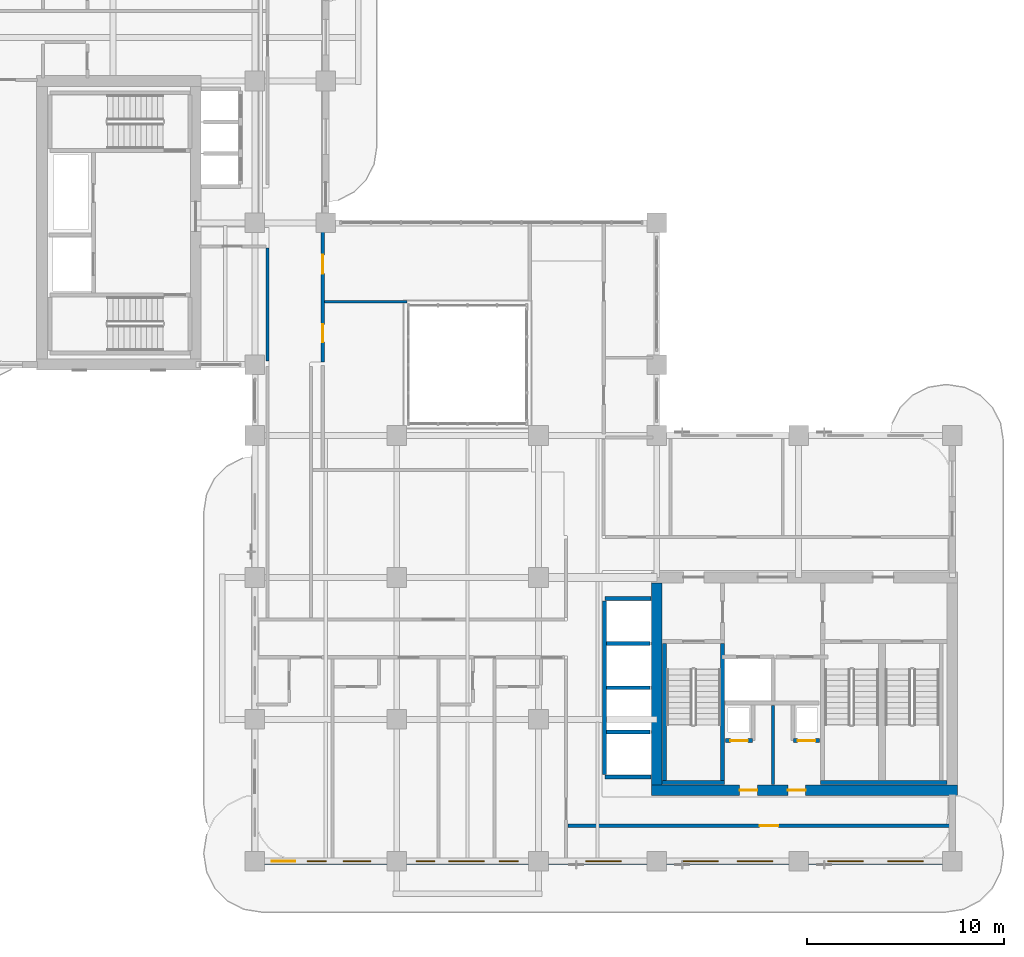
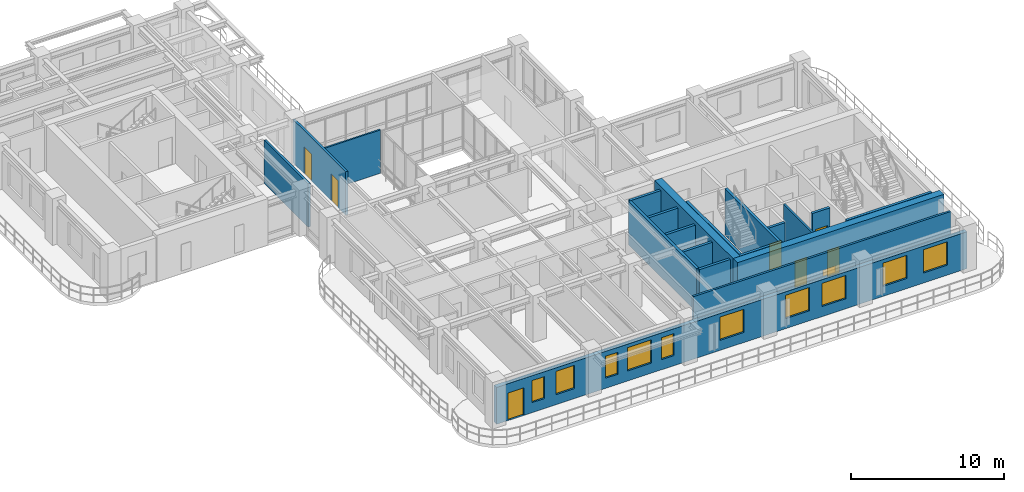
# One storey, part 12 of 20: 20 walls, 10 windows, 8 doors, 18 openings.
"""IFC4 building model written with IfcOpenShell, lengths in metres."""

from ifc_helpers import new_model, si_unit, derived_unit, direction, frame, frame_2d, origin, place, context, subcontext, project, spatial, rectangle, extrude, source, transform, mapped, material, layer, layer_set, type_object, type_shapes, element, fill, save


model = new_model("IFC4")

# Units and contexts
model_context = context("Model", 3, precision=1e-05, world=origin(), true_north=direction((0.0, 1.0)))
body_context = subcontext(model_context, "Body", "Model", "MODEL_VIEW")
ifc_project = project(units=[si_unit("LENGTHUNIT", "METRE"), si_unit("AREAUNIT", "SQUARE_METRE"), si_unit("VOLUMEUNIT", "CUBIC_METRE"), si_unit("PLANEANGLEUNIT", "RADIAN"), si_unit("MASSUNIT", "GRAM", prefix="KILO"), si_unit("THERMODYNAMICTEMPERATUREUNIT", "KELVIN"), si_unit("POWERUNIT", "WATT"), derived_unit("THERMALTRANSMITTANCEUNIT", [(si_unit("POWERUNIT", "WATT"), 1), (si_unit("AREAUNIT", "SQUARE_METRE"), -1), (si_unit("THERMODYNAMICTEMPERATUREUNIT", "KELVIN"), -1)])], contexts=[model_context])

# Site, building, storey
site_placement = place(None, origin())
site = spatial("IfcSite", under=ifc_project, at=site_placement, CompositionType="ELEMENT")
building_placement = place(site_placement, origin())
building = spatial("IfcBuilding", under=site, at=building_placement, Name="Zahravan Archway Hotel and Residences", CompositionType="ELEMENT")
storey_placement = place(building_placement, frame((0.0, 0.0, 122.89990234375)))
storey = spatial("IfcBuildingStorey", under=building, at=storey_placement, Name="L30", CompositionType="ELEMENT", Elevation=122.89990234375)

# Wall, openings, doors
ifc_material_1 = material(Name="Concrete C70/85", Category="concrete")
ifc_layer_1 = layer(ifc_material_1, 0.550048828125, Name="Concrete C70/85", Category="concrete")
ifc_layer_set_1 = layer_set([ifc_layer_1], Name="Concrete C70/85")
wall_type_1 = type_object("IfcWallType", Name="CW-CORE-550", PredefinedType="SHEAR", material=ifc_layer_set_1)
wall_1_placement = place(storey_placement, frame((34.52490234375, 3.60009765625, 0.0), z_axis=(0.0, 0.0, 1.0), x_axis=(1.0, 0.0, 0.0)))
wall_1 = element("IfcWall", 1, at=wall_1_placement, inside=storey, type_object=wall_type_1, Name="L30 Core A Shear S Wall 550 mm", PredefinedType="SHEAR", context=body_context, shape_type="SweptSolid", body=[
    extrude(rectangle(XDim=15.550048828125, YDim=0.550048828125, at=frame_2d((7.77490234375, 0.0))), origin(), (0.0, 0.0, 1.0), 3.7001953125),
])
opening_1_placement = place(wall_1_placement, frame((4.47509765625, 0.0, 0.0)))
opening_1 = element("IfcOpeningElement", 2, at=opening_1_placement, cuts=wall_1, Name="Opening FD-R1", PredefinedType="OPENING", context=body_context, shape_type="SweptSolid", body=[
    extrude(rectangle(XDim=0.89990234375, YDim=2.10009765625, at=frame_2d((0.449951171875, 1.050048828125))), frame((0.0, 0.28515625, 0.0), z_axis=(0.0, -1.0, 0.0), x_axis=(1.0, 0.0, 0.0)), (0.0, 0.0, 1.0), 0.570068359375),
])
opening_2_placement = place(wall_1_placement, frame((6.925048828125, 0.0, 0.0)))
opening_2 = element("IfcOpeningElement", 3, at=opening_2_placement, cuts=wall_1, Name="Opening FD-R1", PredefinedType="OPENING", context=body_context, shape_type="SweptSolid", body=[
    extrude(rectangle(XDim=0.89990234375, YDim=2.10009765625, at=frame_2d((0.449951171875, 1.050048828125))), frame((0.0, 0.28515625, 0.0), z_axis=(0.0, -1.0, 0.0), x_axis=(1.0, 0.0, 0.0)), (0.0, 0.0, 1.0), 0.570068359375),
])
ifc_material_2 = material(Name="Fire-Rated Painted Steel", Category="steel")
door_type_1 = type_object("IfcDoorType", Name="FD-RISER-900", OperationType="NOTDEFINED", PredefinedType="DOOR", material=ifc_material_2)
shared_shape_1 = source(origin(), body_context, "Body", "SweptSolid", [
    extrude(rectangle(XDim=0.89990234375, YDim=2.10009765625, at=frame_2d((0.449951171875, 1.050048828125))), frame((0.0, 0.02490234375, 0.0), z_axis=(0.0, -1.0, 0.0), x_axis=(1.0, 0.0, 0.0)), (0.0, 0.0, 1.0), 0.050048828125),
])
type_shapes(door_type_1, [shared_shape_1])
door_1_placement = place(opening_1_placement, origin())
door_1 = element("IfcDoor", 4, at=door_1_placement, inside=storey, type_object=door_type_1, Name="L30 Electrical Switchgear Door", OperationType="SINGLE_SWING_RIGHT", OverallHeight=2.10009765625, OverallWidth=0.89990234375, PredefinedType="DOOR", context=body_context, shape_type="MappedRepresentation", body=[
    mapped(shared_shape_1, transform((0.0, 0.0, 0.0), scale=1.0)),
])
fill(opening_1, door_1)
door_2_placement = place(opening_2_placement, origin())
door_2 = element("IfcDoor", 5, at=door_2_placement, inside=storey, type_object=door_type_1, Name="L30 Telecom BMS Door", OperationType="SINGLE_SWING_LEFT", OverallHeight=2.10009765625, OverallWidth=0.89990234375, PredefinedType="DOOR", context=body_context, shape_type="MappedRepresentation", body=[
    mapped(shared_shape_1, transform((0.0, 0.0, 0.0), scale=1.0)),
])
fill(opening_2, door_2)

# Wall
wall_2_placement = place(storey_placement, frame((34.800048828125, 3.875, 0.0), z_axis=(0.0, 0.0, 1.0), x_axis=(0.0, 1.0, 0.0)))
element("IfcWall", 6, at=wall_2_placement, inside=storey, type_object=wall_type_1, Name="L30 Core A Shear W Wall 550 mm", PredefinedType="SHEAR", context=body_context, shape_type="SweptSolid", body=[
    extrude(rectangle(XDim=10.25, YDim=0.550048828125, at=frame_2d((5.125, 0.0))), origin(), (0.0, 0.0, 1.0), 3.7001953125),
])

# Wall, openings, door, windows
ifc_material_3 = material(Name="Agra Buff Sandstone & Insulated Backup", Category="masonry")
ifc_layer_2 = layer(ifc_material_3, 0.320068359375, Name="Agra Buff Sandstone & Insulated Backup", Category="masonry")
ifc_layer_set_2 = layer_set([ifc_layer_2], Name="Agra Buff Sandstone & Insulated Backup")
wall_type_2 = type_object("IfcWallType", Name="EW-SAND-320", PredefinedType="SOLIDWALL", material=ifc_layer_set_2)
wall_3_placement = place(storey_placement, frame((14.39990234375, 0.0, 0.0), z_axis=(0.0, 0.0, 1.0), x_axis=(1.0, 0.0, 0.0)))
wall_3 = element("IfcWall", 7, at=wall_3_placement, inside=storey, type_object=wall_type_2, Name="L30 Exterior Sandstone Wall WA-S", PredefinedType="SOLIDWALL", context=body_context, shape_type="SweptSolid", body=[
    extrude(rectangle(XDim=35.400146484375, YDim=0.320068359375, at=frame_2d((17.7001953125, 0.0))), origin(), (0.0, 0.0, 1.0), 2.93505859375),
])
opening_3_placement = place(wall_3_placement, frame((0.85009765625, 0.0, 0.0)))
opening_3 = element("IfcOpeningElement", 8, at=opening_3_placement, cuts=wall_3, Name="Opening ED-BL1", PredefinedType="OPENING", context=body_context, shape_type="SweptSolid", body=[
    extrude(rectangle(XDim=1.199951171875, YDim=2.199951171875, at=frame_2d((0.60009765625, 1.10009765625))), frame((0.0, 0.169921875, 0.0), z_axis=(0.0, -1.0, 0.0), x_axis=(1.0, 0.0, 0.0)), (0.0, 0.0, 1.0), 0.340087890625),
])
opening_4_placement = place(wall_3_placement, frame((2.6708984375, 0.0, 0.800048828125)))
opening_4 = element("IfcOpeningElement", 9, at=opening_4_placement, cuts=wall_3, Name="Opening W-04", PredefinedType="OPENING", context=body_context, shape_type="SweptSolid", body=[
    extrude(rectangle(XDim=0.949951171875, YDim=1.75, at=frame_2d((0.47509765625, 0.875))), frame((0.0, 0.169921875, 0.0), z_axis=(0.0, -1.0, 0.0), x_axis=(1.0, 0.0, 0.0)), (0.0, 0.0, 1.0), 0.340087890625),
])
opening_5_placement = place(wall_3_placement, frame((4.47900390625, 0.0, 0.800048828125)))
opening_5 = element("IfcOpeningElement", 10, at=opening_5_placement, cuts=wall_3, Name="Opening W-03", PredefinedType="OPENING", context=body_context, shape_type="SweptSolid", body=[
    extrude(rectangle(XDim=1.39990234375, YDim=1.85009765625, at=frame_2d((0.699951171875, 0.925048828125))), frame((0.0, 0.169921875, 0.0), z_axis=(0.0, -1.0, 0.0), x_axis=(1.0, 0.0, 0.0)), (0.0, 0.0, 1.0), 0.340087890625),
])
opening_6_placement = place(wall_3_placement, frame((8.180908203125, 0.0, 0.800048828125)))
opening_6 = element("IfcOpeningElement", 11, at=opening_6_placement, cuts=wall_3, Name="Opening W-04", PredefinedType="OPENING", context=body_context, shape_type="SweptSolid", body=[
    extrude(rectangle(XDim=0.949951171875, YDim=1.75, at=frame_2d((0.47509765625, 0.875))), frame((0.0, 0.169921875, 0.0), z_axis=(0.0, -1.0, 0.0), x_axis=(1.0, 0.0, 0.0)), (0.0, 0.0, 1.0), 0.340087890625),
])
opening_7_placement = place(wall_3_placement, frame((9.844970703125, 0.0, 0.800048828125)))
opening_7 = element("IfcOpeningElement", 12, at=opening_7_placement, cuts=wall_3, Name="Opening W-02", PredefinedType="OPENING", context=body_context, shape_type="SweptSolid", body=[
    extrude(rectangle(XDim=1.800048828125, YDim=1.85009765625, at=frame_2d((0.89990234375, 0.925048828125))), frame((0.0, 0.169921875, 0.0), z_axis=(0.0, -1.0, 0.0), x_axis=(1.0, 0.0, 0.0)), (0.0, 0.0, 1.0), 0.340087890625),
])
opening_8_placement = place(wall_3_placement, frame((12.4140625, 0.0, 0.800048828125)))
opening_8 = element("IfcOpeningElement", 13, at=opening_8_placement, cuts=wall_3, Name="Opening W-04", PredefinedType="OPENING", context=body_context, shape_type="SweptSolid", body=[
    extrude(rectangle(XDim=0.949951171875, YDim=1.75, at=frame_2d((0.47509765625, 0.875))), frame((0.0, 0.169921875, 0.0), z_axis=(0.0, -1.0, 0.0), x_axis=(1.0, 0.0, 0.0)), (0.0, 0.0, 1.0), 0.340087890625),
])
opening_9_placement = place(wall_3_placement, frame((16.803955078125, 0.0, 0.800048828125)))
opening_9 = element("IfcOpeningElement", 14, at=opening_9_placement, cuts=wall_3, Name="Opening W-02", PredefinedType="OPENING", context=body_context, shape_type="SweptSolid", body=[
    extrude(rectangle(XDim=1.800048828125, YDim=1.85009765625, at=frame_2d((0.89990234375, 0.925048828125))), frame((0.0, 0.169921875, 0.0), z_axis=(0.0, -1.0, 0.0), x_axis=(1.0, 0.0, 0.0)), (0.0, 0.0, 1.0), 0.340087890625),
])
opening_10_placement = place(wall_3_placement, frame((21.72509765625, 0.0, 0.800048828125)))
opening_10 = element("IfcOpeningElement", 15, at=opening_10_placement, cuts=wall_3, Name="Opening W-02", PredefinedType="OPENING", context=body_context, shape_type="SweptSolid", body=[
    extrude(rectangle(XDim=1.800048828125, YDim=1.85009765625, at=frame_2d((0.89990234375, 0.925048828125))), frame((0.0, 0.169921875, 0.0), z_axis=(0.0, -1.0, 0.0), x_axis=(1.0, 0.0, 0.0)), (0.0, 0.0, 1.0), 0.340087890625),
])
opening_11_placement = place(wall_3_placement, frame((24.47509765625, 0.0, 0.800048828125)))
opening_11 = element("IfcOpeningElement", 16, at=opening_11_placement, cuts=wall_3, Name="Opening W-02", PredefinedType="OPENING", context=body_context, shape_type="SweptSolid", body=[
    extrude(rectangle(XDim=1.800048828125, YDim=1.85009765625, at=frame_2d((0.89990234375, 0.925048828125))), frame((0.0, 0.169921875, 0.0), z_axis=(0.0, -1.0, 0.0), x_axis=(1.0, 0.0, 0.0)), (0.0, 0.0, 1.0), 0.340087890625),
])
opening_12_placement = place(wall_3_placement, frame((29.074951171875, 0.0, 0.800048828125)))
opening_12 = element("IfcOpeningElement", 17, at=opening_12_placement, cuts=wall_3, Name="Opening W-02", PredefinedType="OPENING", context=body_context, shape_type="SweptSolid", body=[
    extrude(rectangle(XDim=1.800048828125, YDim=1.85009765625, at=frame_2d((0.89990234375, 0.925048828125))), frame((0.0, 0.169921875, 0.0), z_axis=(0.0, -1.0, 0.0), x_axis=(1.0, 0.0, 0.0)), (0.0, 0.0, 1.0), 0.340087890625),
])
opening_13_placement = place(wall_3_placement, frame((32.125, 0.0, 0.800048828125)))
opening_13 = element("IfcOpeningElement", 18, at=opening_13_placement, cuts=wall_3, Name="Opening W-02", PredefinedType="OPENING", context=body_context, shape_type="SweptSolid", body=[
    extrude(rectangle(XDim=1.800048828125, YDim=1.85009765625, at=frame_2d((0.89990234375, 0.925048828125))), frame((0.0, 0.169921875, 0.0), z_axis=(0.0, -1.0, 0.0), x_axis=(1.0, 0.0, 0.0)), (0.0, 0.0, 1.0), 0.340087890625),
])
ifc_material_4 = material(Name="Bronze-Anodized Glazed Aluminium", Category="aluminium")
door_type_2 = type_object("IfcDoorType", Name="ED-BALC-1200", OperationType="SLIDING_TO_LEFT", PredefinedType="DOOR", material=ifc_material_4)
shared_shape_2 = source(origin(), body_context, "Body", "SweptSolid", [
    extrude(rectangle(XDim=1.199951171875, YDim=2.199951171875, at=frame_2d((0.60009765625, 1.10009765625))), frame((0.0, 0.02490234375, 0.0), z_axis=(0.0, -1.0, 0.0), x_axis=(1.0, 0.0, 0.0)), (0.0, 0.0, 1.0), 0.050048828125),
])
type_shapes(door_type_2, [shared_shape_2])
door_3_placement = place(opening_3_placement, origin())
door_3 = element("IfcDoor", 19, at=door_3_placement, inside=storey, type_object=door_type_2, Name="L30 Outdoor Access Sliding Door (SLB-BAL-L30-SA)", OperationType="SLIDING_TO_LEFT", OverallHeight=2.199951171875, OverallWidth=1.199951171875, PredefinedType="DOOR", context=body_context, shape_type="MappedRepresentation", body=[
    mapped(shared_shape_2, transform((0.0, 0.0, 0.0), scale=1.0)),
])
fill(opening_3, door_3)
ifc_material_5 = material(Name="Bronze-Anodized Thermal-Break Aluminium & Low-E Glass", Category="aluminium")
window_type_1 = type_object("IfcWindowType", Name="WIN-TWR-1400", PartitioningType="SINGLE_PANEL", PredefinedType="WINDOW", material=ifc_material_5)
shared_shape_3 = source(origin(), body_context, "Body", "SweptSolid", [
    extrude(rectangle(XDim=1.39990234375, YDim=1.85009765625, at=frame_2d((0.699951171875, 0.925048828125))), frame((0.0, 0.030029296875, 0.0), z_axis=(0.0, -1.0, 0.0), x_axis=(1.0, 0.0, 0.0)), (0.0, 0.0, 1.0), 0.06005859375),
])
type_shapes(window_type_1, [shared_shape_3])
window_1_placement = place(opening_5_placement, origin())
window_1 = element("IfcWindow", 20, at=window_1_placement, inside=storey, type_object=window_type_1, Name="L30 Loggia Window 02", OverallHeight=1.85009765625, OverallWidth=1.39990234375, PartitioningType="SINGLE_PANEL", PredefinedType="WINDOW", context=body_context, shape_type="MappedRepresentation", body=[
    mapped(shared_shape_3, transform((0.0, 0.0, 0.0), scale=1.0)),
])
fill(opening_5, window_1)
window_type_2 = type_object("IfcWindowType", Name="WIN-NAR-950", PartitioningType="SINGLE_PANEL", PredefinedType="WINDOW", material=ifc_material_5)
shared_shape_4 = source(origin(), body_context, "Body", "SweptSolid", [
    extrude(rectangle(XDim=0.949951171875, YDim=1.75, at=frame_2d((0.47509765625, 0.875))), frame((0.0, 0.030029296875, 0.0), z_axis=(0.0, -1.0, 0.0), x_axis=(1.0, 0.0, 0.0)), (0.0, 0.0, 1.0), 0.06005859375),
])
type_shapes(window_type_2, [shared_shape_4])
window_2_placement = place(opening_4_placement, origin())
window_2 = element("IfcWindow", 21, at=window_2_placement, inside=storey, type_object=window_type_2, Name="L30 Loggia Window 01", OverallHeight=1.75, OverallWidth=0.949951171875, PartitioningType="SINGLE_PANEL", PredefinedType="WINDOW", context=body_context, shape_type="MappedRepresentation", body=[
    mapped(shared_shape_4, transform((0.0, 0.0, 0.0), scale=1.0)),
])
fill(opening_4, window_2)
window_3_placement = place(opening_6_placement, origin())
window_3 = element("IfcWindow", 22, at=window_3_placement, inside=storey, type_object=window_type_2, Name="L30 Loggia Window 03", OverallHeight=1.75, OverallWidth=0.949951171875, PartitioningType="SINGLE_PANEL", PredefinedType="WINDOW", context=body_context, shape_type="MappedRepresentation", body=[
    mapped(shared_shape_4, transform((0.0, 0.0, 0.0), scale=1.0)),
])
fill(opening_6, window_3)
window_4_placement = place(opening_8_placement, origin())
window_4 = element("IfcWindow", 23, at=window_4_placement, inside=storey, type_object=window_type_2, Name="L30 Loggia Window 05", OverallHeight=1.75, OverallWidth=0.949951171875, PartitioningType="SINGLE_PANEL", PredefinedType="WINDOW", context=body_context, shape_type="MappedRepresentation", body=[
    mapped(shared_shape_4, transform((0.0, 0.0, 0.0), scale=1.0)),
])
fill(opening_8, window_4)
window_type_3 = type_object("IfcWindowType", Name="WIN-TWR-1800", PartitioningType="DOUBLE_PANEL_VERTICAL", PredefinedType="WINDOW", material=ifc_material_5)
shared_shape_5 = source(origin(), body_context, "Body", "SweptSolid", [
    extrude(rectangle(XDim=1.800048828125, YDim=1.85009765625, at=frame_2d((0.89990234375, 0.925048828125))), frame((0.0, 0.030029296875, 0.0), z_axis=(0.0, -1.0, 0.0), x_axis=(1.0, 0.0, 0.0)), (0.0, 0.0, 1.0), 0.06005859375),
])
type_shapes(window_type_3, [shared_shape_5])
window_5_placement = place(opening_7_placement, origin())
window_5 = element("IfcWindow", 24, at=window_5_placement, inside=storey, type_object=window_type_3, Name="L30 Loggia Window 04", OverallHeight=1.85009765625, OverallWidth=1.800048828125, PartitioningType="DOUBLE_PANEL_VERTICAL", PredefinedType="WINDOW", context=body_context, shape_type="MappedRepresentation", body=[
    mapped(shared_shape_5, transform((0.0, 0.0, 0.0), scale=1.0)),
])
fill(opening_7, window_5)
window_6_placement = place(opening_9_placement, origin())
window_6 = element("IfcWindow", 25, at=window_6_placement, inside=storey, type_object=window_type_3, Name="L30 Loggia Window 06", OverallHeight=1.85009765625, OverallWidth=1.800048828125, PartitioningType="DOUBLE_PANEL_VERTICAL", PredefinedType="WINDOW", context=body_context, shape_type="MappedRepresentation", body=[
    mapped(shared_shape_5, transform((0.0, 0.0, 0.0), scale=1.0)),
])
fill(opening_9, window_6)
window_7_placement = place(opening_10_placement, origin())
window_7 = element("IfcWindow", 26, at=window_7_placement, inside=storey, type_object=window_type_3, Name="L30 Loggia Window 07", OverallHeight=1.85009765625, OverallWidth=1.800048828125, PartitioningType="DOUBLE_PANEL_VERTICAL", PredefinedType="WINDOW", context=body_context, shape_type="MappedRepresentation", body=[
    mapped(shared_shape_5, transform((0.0, 0.0, 0.0), scale=1.0)),
])
fill(opening_10, window_7)
window_8_placement = place(opening_11_placement, origin())
window_8 = element("IfcWindow", 27, at=window_8_placement, inside=storey, type_object=window_type_3, Name="L30 Loggia Window 08", OverallHeight=1.85009765625, OverallWidth=1.800048828125, PartitioningType="DOUBLE_PANEL_VERTICAL", PredefinedType="WINDOW", context=body_context, shape_type="MappedRepresentation", body=[
    mapped(shared_shape_5, transform((0.0, 0.0, 0.0), scale=1.0)),
])
fill(opening_11, window_8)
window_9_placement = place(opening_12_placement, origin())
window_9 = element("IfcWindow", 28, at=window_9_placement, inside=storey, type_object=window_type_3, Name="L30 Loggia Window 09", OverallHeight=1.85009765625, OverallWidth=1.800048828125, PartitioningType="DOUBLE_PANEL_VERTICAL", PredefinedType="WINDOW", context=body_context, shape_type="MappedRepresentation", body=[
    mapped(shared_shape_5, transform((0.0, 0.0, 0.0), scale=1.0)),
])
fill(opening_12, window_9)
window_10_placement = place(opening_13_placement, origin())
window_10 = element("IfcWindow", 29, at=window_10_placement, inside=storey, type_object=window_type_3, Name="L30 Loggia Window 10", OverallHeight=1.85009765625, OverallWidth=1.800048828125, PartitioningType="DOUBLE_PANEL_VERTICAL", PredefinedType="WINDOW", context=body_context, shape_type="MappedRepresentation", body=[
    mapped(shared_shape_5, transform((0.0, 0.0, 0.0), scale=1.0)),
])
fill(opening_13, window_10)

# Wall, opening, door
ifc_material_6 = material(Name="Fire-Rated Gypsum & Concrete Block", Category="concrete")
ifc_layer_3 = layer(ifc_material_6, 0.159912109375, Name="Fire-Rated Gypsum & Concrete Block", Category="concrete")
ifc_layer_set_3 = layer_set([ifc_layer_3], Name="Fire-Rated Gypsum & Concrete Block")
wall_type_3 = type_object("IfcWallType", Name="PW-CORR-160", PredefinedType="PARTITIONING", material=ifc_layer_set_3)
wall_4_placement = place(storey_placement, frame((30.2900390625, 1.800048828125, 0.0), z_axis=(0.0, 0.0, 1.0), x_axis=(1.0, 0.0, 0.0)))
wall_4 = element("IfcWall", 30, at=wall_4_placement, inside=storey, type_object=wall_type_3, Name="L30 Partition WA-SRS", PredefinedType="PARTITIONING", context=body_context, shape_type="SweptSolid", body=[
    extrude(rectangle(XDim=19.369873046875, YDim=0.159912109375, at=frame_2d((9.68505859375, 0.0))), origin(), (0.0, 0.0, 1.0), 3.4501953125),
])
opening_14_placement = place(wall_4_placement, frame((9.735107421875, 0.0, 0.0)))
opening_14 = element("IfcOpeningElement", 31, at=opening_14_placement, cuts=wall_4, Name="Opening D-I1", PredefinedType="OPENING", context=body_context, shape_type="SweptSolid", body=[
    extrude(rectangle(XDim=0.949951171875, YDim=2.14990234375, at=frame_2d((0.47509765625, 1.074951171875))), frame((0.0, 0.08984375, 0.0), z_axis=(0.0, -1.0, 0.0), x_axis=(1.0, 0.0, 0.0)), (0.0, 0.0, 1.0), 0.179931640625),
])
ifc_material_7 = material(Name="Hardwood Veneer Timber", Category="wood")
door_type_3 = type_object("IfcDoorType", Name="ID-INT-950", OperationType="NOTDEFINED", PredefinedType="DOOR", material=ifc_material_7)
shared_shape_6 = source(origin(), body_context, "Body", "SweptSolid", [
    extrude(rectangle(XDim=0.949951171875, YDim=2.14990234375, at=frame_2d((0.47509765625, 1.074951171875))), frame((0.0, 0.02490234375, 0.0), z_axis=(0.0, -1.0, 0.0), x_axis=(1.0, 0.0, 0.0)), (0.0, 0.0, 1.0), 0.050048828125),
])
type_shapes(door_type_3, [shared_shape_6])
door_4_placement = place(opening_14_placement, origin())
door_4 = element("IfcDoor", 32, at=door_4_placement, inside=storey, type_object=door_type_3, Name="L30 South Viewing Lounge Door", OperationType="SINGLE_SWING_RIGHT", OverallHeight=2.14990234375, OverallWidth=0.949951171875, PredefinedType="DOOR", context=body_context, shape_type="MappedRepresentation", body=[
    mapped(shared_shape_6, transform((0.0, 0.0, 0.0), scale=1.0)),
])
fill(opening_14, door_4)

# Walls
wall_5_placement = place(storey_placement, frame((15.050048828125, 25.389892578125, 0.0), z_axis=(0.0, 0.0, 1.0), x_axis=(0.0, 1.0, 0.0)))
element("IfcWall", 33, at=wall_5_placement, inside=storey, type_object=wall_type_3, Name="L30 Partition FB1-E", PredefinedType="PARTITIONING", context=body_context, shape_type="SweptSolid", body=[
    extrude(rectangle(XDim=5.72021484375, YDim=0.159912109375, at=frame_2d((2.860107421875, 0.0))), origin(), (0.0, 0.0, 1.0), 3.4501953125),
])
ifc_material_8 = material(Name="Acoustic Stud Partition")
ifc_layer_4 = layer(ifc_material_8, 0.125, Name="Acoustic Stud Partition")
ifc_layer_set_4 = layer_set([ifc_layer_4], Name="Acoustic Stud Partition")
wall_type_4 = type_object("IfcWallType", Name="PW-INT-125", PredefinedType="PARTITIONING", material=ifc_layer_set_4)
wall_6_placement = place(storey_placement, frame((17.93994140625, 28.39990234375, 0.0), z_axis=(0.0, 0.0, 1.0), x_axis=(1.0, 0.0, 0.0)))
element("IfcWall", 34, at=wall_6_placement, inside=storey, type_object=wall_type_4, Name="L30 Partition ATR-NW1", PredefinedType="PARTITIONING", context=body_context, shape_type="SweptSolid", body=[
    extrude(rectangle(XDim=4.170166015625, YDim=0.125, at=frame_2d((2.0849609375, 0.0))), origin(), (0.0, 0.0, 1.0), 3.4501953125),
])

# Wall, opening, door
ifc_layer_5 = layer(ifc_material_6, 0.199951171875, Name="Fire-Rated Gypsum & Concrete Block", Category="concrete")
ifc_layer_set_5 = layer_set([ifc_layer_5], Name="Fire-Rated Gypsum & Concrete Block")
wall_type_5 = type_object("IfcWallType", Name="PW-SHAFT-200", PredefinedType="PARTITIONING", material=ifc_layer_set_5)
wall_7_placement = place(storey_placement, frame((38.2900390625, 6.1201171875, 0.0), z_axis=(0.0, 0.0, 1.0), x_axis=(1.0, 0.0, 0.0)))
wall_7 = element("IfcWall", 35, at=wall_7_placement, inside=storey, type_object=wall_type_5, Name="L30 Partition CA-SMKS", PredefinedType="PARTITIONING", context=body_context, shape_type="SweptSolid", body=[
    extrude(rectangle(XDim=1.3798828125, YDim=0.199951171875, at=frame_2d((0.68994140625, 0.0))), origin(), (0.0, 0.0, 1.0), 3.4501953125),
])
opening_15_placement = place(wall_7_placement, frame((0.239990234375, 0.0, 0.0)))
opening_15 = element("IfcOpeningElement", 36, at=opening_15_placement, cuts=wall_7, Name="Opening FD-R1", PredefinedType="OPENING", context=body_context, shape_type="SweptSolid", body=[
    extrude(rectangle(XDim=0.89990234375, YDim=2.10009765625, at=frame_2d((0.449951171875, 1.050048828125))), frame((0.0, 0.10986328125, 0.0), z_axis=(0.0, -1.0, 0.0), x_axis=(1.0, 0.0, 0.0)), (0.0, 0.0, 1.0), 0.219970703125),
])
door_5_placement = place(opening_15_placement, origin())
door_5 = element("IfcDoor", 37, at=door_5_placement, inside=storey, type_object=door_type_1, Name="L30 Smoke Riser Access Door", OperationType="SINGLE_SWING_RIGHT", OverallHeight=2.10009765625, OverallWidth=0.89990234375, PredefinedType="DOOR", context=body_context, shape_type="MappedRepresentation", body=[
    mapped(shared_shape_1, transform((0.0, 0.0, 0.0), scale=1.0)),
])
fill(opening_15, door_5)

wall_8_placement = place(storey_placement, frame((41.72998046875, 6.1201171875, 0.0), z_axis=(0.0, 0.0, 1.0), x_axis=(1.0, 0.0, 0.0)))
wall_8 = element("IfcWall", 38, at=wall_8_placement, inside=storey, type_object=wall_type_5, Name="L30 Partition CA-MEPS", PredefinedType="PARTITIONING", context=body_context, shape_type="SweptSolid", body=[
    extrude(rectangle(XDim=1.320068359375, YDim=0.199951171875, at=frame_2d((0.66015625, 0.0))), origin(), (0.0, 0.0, 1.0), 3.4501953125),
])
opening_16_placement = place(wall_8_placement, frame((0.219970703125, 0.0, 0.0)))
opening_16 = element("IfcOpeningElement", 39, at=opening_16_placement, cuts=wall_8, Name="Opening FD-R1", PredefinedType="OPENING", context=body_context, shape_type="SweptSolid", body=[
    extrude(rectangle(XDim=0.89990234375, YDim=2.10009765625, at=frame_2d((0.449951171875, 1.050048828125))), frame((0.0, 0.10986328125, 0.0), z_axis=(0.0, -1.0, 0.0), x_axis=(1.0, 0.0, 0.0)), (0.0, 0.0, 1.0), 0.219970703125),
])
door_6_placement = place(opening_16_placement, origin())
door_6 = element("IfcDoor", 40, at=door_6_placement, inside=storey, type_object=door_type_1, Name="L30 MEP Riser Access Door", OperationType="SINGLE_SWING_LEFT", OverallHeight=2.10009765625, OverallWidth=0.89990234375, PredefinedType="DOOR", context=body_context, shape_type="MappedRepresentation", body=[
    mapped(shared_shape_1, transform((0.0, 0.0, 0.0), scale=1.0)),
])
fill(opening_16, door_6)

# Walls
for number, where, z_axis, x_axis, name in (
    (41, (32.159912109375, 4.280029296875, 0.0), (0.0, 0.0, 1.0), (1.0, 0.0, 0.0), "L30 Partition B3-S"),
    (42, (32.159912109375, 13.320068359375, 0.0), (0.0, 0.0, 1.0), (1.0, 0.0, 0.0), "L30 Partition B3-N"),
):
    element("IfcWall", number, at=place(storey_placement, frame(where, z_axis=z_axis, x_axis=x_axis)), inside=storey, type_object=wall_type_5, Name=name, PredefinedType="PARTITIONING", context=body_context, shape_type="SweptSolid", body=[
        extrude(rectangle(XDim=2.335205078125, YDim=0.199951171875, at=frame_2d((1.16748046875, 0.0))), origin(), (0.0, 0.0, 1.0), 3.4501953125),
    ])
wall_9_placement = place(storey_placement, frame((32.14990234375, 4.389892578125, 0.0), z_axis=(0.0, 0.0, 1.0), x_axis=(0.0, 1.0, 0.0)))
element("IfcWall", 43, at=wall_9_placement, inside=storey, type_object=wall_type_5, Name="L30 Partition B3-W", PredefinedType="PARTITIONING", context=body_context, shape_type="SweptSolid", body=[
    extrude(rectangle(XDim=8.820068359375, YDim=0.199951171875, at=frame_2d((4.41015625, 0.0))), origin(), (0.0, 0.0, 1.0), 3.4501953125),
])
for number, where, z_axis, x_axis, name in (
    (44, (32.260009765625, 6.56005859375, 0.0), (0.0, 0.0, 1.0), (1.0, 0.0, 0.0), "L30 Partition B3-D"),
    (45, (32.260009765625, 8.800048828125, 0.0), (0.0, 0.0, 1.0), (1.0, 0.0, 0.0), "L30 Partition B3-D"),
    (46, (32.260009765625, 11.0400390625, 0.0), (0.0, 0.0, 1.0), (1.0, 0.0, 0.0), "L30 Partition B3-D"),
):
    element("IfcWall", number, at=place(storey_placement, frame(where, z_axis=z_axis, x_axis=x_axis)), inside=storey, type_object=wall_type_5, Name=name, PredefinedType="PARTITIONING", context=body_context, shape_type="SweptSolid", body=[
        extrude(rectangle(XDim=2.205078125, YDim=0.199951171875, at=frame_2d((1.1025390625, 0.0))), origin(), (0.0, 0.0, 1.0), 3.4501953125),
    ])

# Wall, openings, doors
ifc_layer_6 = layer(ifc_material_8, 0.169921875, Name="Acoustic Stud Partition")
ifc_layer_set_6 = layer_set([ifc_layer_6], Name="Acoustic Stud Partition")
wall_type_6 = type_object("IfcWallType", Name="PW-UNIT-170", PredefinedType="PARTITIONING", material=ifc_layer_set_6)
wall_10_placement = place(storey_placement, frame((17.85009765625, 25.340087890625, 0.0), z_axis=(0.0, 0.0, 1.0), x_axis=(0.0, 1.0, 0.0)))
wall_10 = element("IfcWall", 47, at=wall_10_placement, inside=storey, type_object=wall_type_6, Name="L30 Partition ATR-W2", PredefinedType="PARTITIONING", context=body_context, shape_type="SweptSolid", body=[
    extrude(rectangle(XDim=6.869873046875, YDim=0.169921875, at=frame_2d((3.43505859375, 0.0))), origin(), (0.0, 0.0, 1.0), 3.4501953125),
])
opening_17_placement = place(wall_10_placement, frame((1.010009765625, 0.0, 0.0)))
opening_17 = element("IfcOpeningElement", 48, at=opening_17_placement, cuts=wall_10, Name="Opening D-I2", PredefinedType="OPENING", context=body_context, shape_type="SweptSolid", body=[
    extrude(rectangle(XDim=0.89990234375, YDim=2.14990234375, at=frame_2d((0.449951171875, 1.074951171875))), frame((0.0, 0.094970703125, 0.0), z_axis=(0.0, -1.0, 0.0), x_axis=(1.0, 0.0, 0.0)), (0.0, 0.0, 1.0), 0.18994140625),
])
opening_18_placement = place(wall_10_placement, frame((4.485107421875, 0.0, 0.0)))
opening_18 = element("IfcOpeningElement", 49, at=opening_18_placement, cuts=wall_10, Name="Opening D-I1", PredefinedType="OPENING", context=body_context, shape_type="SweptSolid", body=[
    extrude(rectangle(XDim=0.949951171875, YDim=2.14990234375, at=frame_2d((0.47509765625, 1.074951171875))), frame((0.0, 0.094970703125, 0.0), z_axis=(0.0, -1.0, 0.0), x_axis=(1.0, 0.0, 0.0)), (0.0, 0.0, 1.0), 0.18994140625),
])
door_7_placement = place(opening_18_placement, origin())
door_7 = element("IfcDoor", 50, at=door_7_placement, inside=storey, type_object=door_type_3, Name="L30 Atrium North Lounge Door", OperationType="SINGLE_SWING_LEFT", OverallHeight=2.14990234375, OverallWidth=0.949951171875, PredefinedType="DOOR", context=body_context, shape_type="MappedRepresentation", body=[
    mapped(shared_shape_6, transform((0.0, 0.0, 0.0), scale=1.0)),
])
fill(opening_18, door_7)
door_type_4 = type_object("IfcDoorType", Name="ID-INT-900", OperationType="NOTDEFINED", PredefinedType="DOOR", material=ifc_material_7)
shared_shape_7 = source(origin(), body_context, "Body", "SweptSolid", [
    extrude(rectangle(XDim=0.89990234375, YDim=2.14990234375, at=frame_2d((0.449951171875, 1.074951171875))), frame((0.0, 0.02490234375, 0.0), z_axis=(0.0, -1.0, 0.0), x_axis=(1.0, 0.0, 0.0)), (0.0, 0.0, 1.0), 0.050048828125),
])
type_shapes(door_type_4, [shared_shape_7])
door_8_placement = place(opening_17_placement, origin())
door_8 = element("IfcDoor", 51, at=door_8_placement, inside=storey, type_object=door_type_4, Name="L30 Atrium West Study Door", OperationType="SINGLE_SWING_LEFT", OverallHeight=2.14990234375, OverallWidth=0.89990234375, PredefinedType="DOOR", context=body_context, shape_type="MappedRepresentation", body=[
    mapped(shared_shape_7, transform((0.0, 0.0, 0.0), scale=1.0)),
])
fill(opening_17, door_8)

# Walls
ifc_material_9 = material(Name="Moisture-Resistant Blockwork", Category="masonry")
ifc_layer_7 = layer(ifc_material_9, 0.139892578125, Name="Moisture-Resistant Blockwork", Category="masonry")
ifc_layer_set_7 = layer_set([ifc_layer_7], Name="Moisture-Resistant Blockwork")
wall_type_7 = type_object("IfcWallType", Name="PW-WET-140", PredefinedType="PARTITIONING", material=ifc_layer_set_7)
wall_11_placement = place(storey_placement, frame((40.699951171875, 3.89501953125, 0.0), z_axis=(0.0, 0.0, 1.0), x_axis=(0.0, 1.0, 0.0)))
element("IfcWall", 52, at=wall_11_placement, inside=storey, type_object=wall_type_7, Name="L30 Partition CA-CV0", PredefinedType="PARTITIONING", context=body_context, shape_type="SweptSolid", body=[
    extrude(rectangle(XDim=4.014892578125, YDim=0.139892578125, at=frame_2d((2.00732421875, 0.0))), origin(), (0.0, 0.0, 1.0), 3.4501953125),
])
ifc_material_10 = material(Name="Concrete C50/60", Category="concrete")
ifc_layer_8 = layer(ifc_material_10, 0.199951171875, Name="Concrete C50/60", Category="concrete")
ifc_layer_set_8 = layer_set([ifc_layer_8], Name="Concrete C50/60")
wall_type_8 = type_object("IfcWallType", Name="SW-STAIR-200", PredefinedType="SHEAR", material=ifc_layer_set_8)
wall_12_placement = place(storey_placement, frame((35.074951171875, 4.0, 0.0), z_axis=(0.0, 0.0, 1.0), x_axis=(1.0, 0.0, 0.0)))
element("IfcWall", 53, at=wall_12_placement, inside=storey, type_object=wall_type_8, Name="L30 Stairwell RC Wall CA-SA1S", PredefinedType="SHEAR", context=body_context, shape_type="SweptSolid", body=[
    extrude(rectangle(XDim=3.1650390625, YDim=0.199951171875, at=frame_2d((1.58251953125, 0.0))), origin(), (0.0, 0.0, 1.0), 3.7001953125),
])
for number, where, z_axis, x_axis, name in (
    (54, (35.199951171875, 4.10009765625, 0.0), (0.0, 0.0, 1.0), (0.0, 1.0, 0.0), "L30 Stairwell RC Wall CA-SA1W"),
    (55, (38.139892578125, 4.10009765625, 0.0), (0.0, 0.0, 1.0), (0.0, 1.0, 0.0), "L30 Stairwell RC Wall CA-SA1E"),
):
    element("IfcWall", number, at=place(storey_placement, frame(where, z_axis=z_axis, x_axis=x_axis)), inside=storey, type_object=wall_type_8, Name=name, PredefinedType="SHEAR", context=body_context, shape_type="SweptSolid", body=[
        extrude(rectangle(XDim=6.949951171875, YDim=0.199951171875, at=frame_2d((3.47509765625, 0.0))), origin(), (0.0, 0.0, 1.0), 3.7001953125),
    ])
wall_13_placement = place(storey_placement, frame((43.1201171875, 4.0, 0.0), z_axis=(0.0, 0.0, 1.0), x_axis=(1.0, 0.0, 0.0)))
element("IfcWall", 56, at=wall_13_placement, inside=storey, type_object=wall_type_8, Name="L30 Stairwell RC Wall CA-SA23S", PredefinedType="SHEAR", context=body_context, shape_type="SweptSolid", body=[
    extrude(rectangle(XDim=6.40478515625, YDim=0.199951171875, at=frame_2d((3.202392578125, 0.0))), origin(), (0.0, 0.0, 1.0), 3.7001953125),
])

save(model, "model.ifc")
